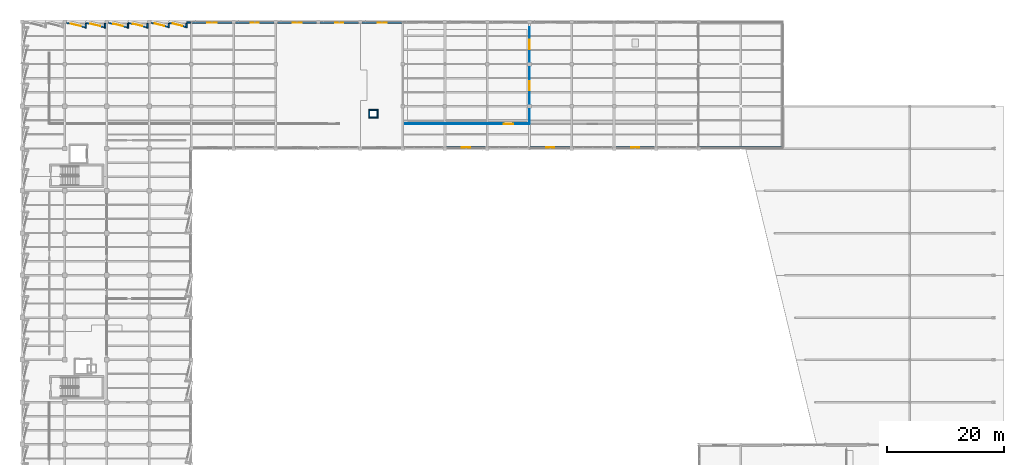
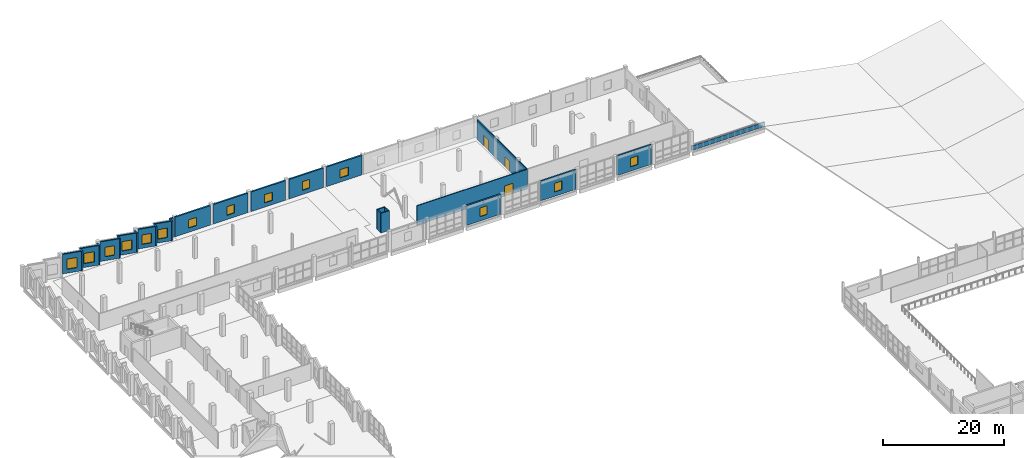
# One storey, part 73 of 94: 28 walls, 14 windows, 3 doors, 17 openings.
"""IFC4 building model written with IfcOpenShell, lengths in metres."""

from ifc_helpers import new_model, si_unit, direction, frame, frame_2d, origin, place, context, subcontext, project, spatial, rectangle, extrude, material, layer, layer_set, type_object, element, fill, save


model = new_model("IFC4")

# Units and contexts
model_context = context("Model", 3, precision=1e-05, world=origin(), true_north=direction((0.0, 1.0)))
body_context = subcontext(model_context, "Body", "Model", "MODEL_VIEW")
ifc_project = project(units=[si_unit("LENGTHUNIT", "METRE"), si_unit("AREAUNIT", "SQUARE_METRE"), si_unit("VOLUMEUNIT", "CUBIC_METRE"), si_unit("PLANEANGLEUNIT", "RADIAN"), si_unit("MASSUNIT", "GRAM", prefix="KILO")], contexts=[model_context])

# Site, building, storey
site_placement = place(None, origin())
site = spatial("IfcSite", under=ifc_project, at=site_placement, CompositionType="ELEMENT")
building_placement = place(site_placement, origin())
building = spatial("IfcBuilding", under=site, at=building_placement, Name="Kalmorath City Hall", CompositionType="ELEMENT")
storey_placement = place(building_placement, frame((0.0, 0.0, 14.699951171875)))
storey = spatial("IfcBuildingStorey", under=building, at=storey_placement, Name="L03", CompositionType="ELEMENT", Elevation=14.699951171875)

# Wall, opening, door
ifc_material_1 = material(Name="High-STC double-stud acoustic partition")
ifc_layer_1 = layer(ifc_material_1, 0.1650390625)
ifc_layer_set_1 = layer_set([ifc_layer_1], Name="High-STC double-stud acoustic partition")
wall_type_1 = type_object("IfcWallType", Name="Chamber and committee acoustic partition 165", PredefinedType="PARTITIONING", material=ifc_layer_set_1)
wall_1_placement = place(storey_placement, frame((65.239990234375, 97.800048828125, 0.0), z_axis=(0.0, 0.0, 1.0), x_axis=(1.0, 0.0, 0.0)))
wall_1 = element("IfcWall", 1, at=wall_1_placement, inside=storey, type_object=wall_type_1, Name="L03 interior partition PW3 #141", PredefinedType="PARTITIONING", context=body_context, shape_type="SweptSolid", body=[
    extrude(rectangle(XDim=21.1201171875, YDim=0.1650390625, at=frame_2d((10.56005859375, 0.0))), origin(), (0.0, 0.0, 1.0), 3.949951171875),
])
opening_1_placement = place(wall_1_placement, frame((16.764892578125, 0.0, 0.0)))
opening_1 = element("IfcOpeningElement", 2, at=opening_1_placement, cuts=wall_1, Name="Opening D-L03-231", PredefinedType="OPENING", context=body_context, shape_type="SweptSolid", body=[
    extrude(rectangle(XDim=1.60009765625, YDim=2.10009765625, at=frame_2d((0.800048828125, 1.050048828125))), frame((0.0, 0.092529296875, 0.0), z_axis=(0.0, -1.0, 0.0), x_axis=(1.0, 0.0, 0.0)), (0.0, 0.0, 1.0), 0.18505859375),
])
ifc_material_2 = material(Name="Acoustic hardwood fire door", Category="wood")
door_type = type_object("IfcDoorType", Name="Committee double fire door 1600x2100", OperationType="DOUBLE_DOOR_SINGLE_SWING", PredefinedType="DOOR", material=ifc_material_2)
door_1_placement = place(opening_1_placement, origin())
door_1 = element("IfcDoor", 3, at=door_1_placement, inside=storey, type_object=door_type, Name="L03 door D-L03-231", OperationType="DOUBLE_DOOR_SINGLE_SWING", OverallHeight=2.10009765625, OverallWidth=1.60009765625, PredefinedType="DOOR", context=body_context, shape_type="SweptSolid", body=[
    extrude(rectangle(XDim=1.60009765625, YDim=2.10009765625, at=frame_2d((0.800048828125, 1.050048828125))), frame((0.0, 0.02490234375, 0.0), z_axis=(0.0, -1.0, 0.0), x_axis=(1.0, 0.0, 0.0)), (0.0, 0.0, 1.0), 0.050048828125),
])
fill(opening_1, door_1)

# Wall, openings, doors
wall_2_placement = place(storey_placement, frame((86.39990234375, 97.840087890625, 0.0), z_axis=(0.0, 0.0, 1.0), x_axis=(0.0, 1.0, 0.0)))
wall_2 = element("IfcWall", 4, at=wall_2_placement, inside=storey, type_object=wall_type_1, Name="L03 interior partition PW3 #147", PredefinedType="PARTITIONING", context=body_context, shape_type="SweptSolid", body=[
    extrude(rectangle(XDim=16.419921875, YDim=0.1650390625, at=frame_2d((8.2099609375, 0.0))), origin(), (0.0, 0.0, 1.0), 3.949951171875),
])
opening_2_placement = place(wall_2_placement, frame((5.66259765625, 0.0, 0.0)))
opening_2 = element("IfcOpeningElement", 5, at=opening_2_placement, cuts=wall_2, Name="Opening D-L03-232", PredefinedType="OPENING", context=body_context, shape_type="SweptSolid", body=[
    extrude(rectangle(XDim=1.60009765625, YDim=2.10009765625, at=frame_2d((0.800048828125, 1.050048828125))), frame((0.0, 0.092529296875, 0.0), z_axis=(0.0, -1.0, 0.0), x_axis=(1.0, 0.0, 0.0)), (0.0, 0.0, 1.0), 0.18505859375),
])
opening_3_placement = place(wall_2_placement, frame((12.652587890625, 0.0, 0.0)))
opening_3 = element("IfcOpeningElement", 6, at=opening_3_placement, cuts=wall_2, Name="Opening D-L03-234", PredefinedType="OPENING", context=body_context, shape_type="SweptSolid", body=[
    extrude(rectangle(XDim=1.60009765625, YDim=2.10009765625, at=frame_2d((0.800048828125, 1.050048828125))), frame((0.0, 0.092529296875, 0.0), z_axis=(0.0, -1.0, 0.0), x_axis=(1.0, 0.0, 0.0)), (0.0, 0.0, 1.0), 0.18505859375),
])
door_2_placement = place(opening_2_placement, origin())
door_2 = element("IfcDoor", 7, at=door_2_placement, inside=storey, type_object=door_type, Name="L03 door D-L03-232", OperationType="DOUBLE_DOOR_SINGLE_SWING", OverallHeight=2.10009765625, OverallWidth=1.60009765625, PredefinedType="DOOR", context=body_context, shape_type="SweptSolid", body=[
    extrude(rectangle(XDim=1.60009765625, YDim=2.10009765625, at=frame_2d((0.800048828125, 1.050048828125))), frame((0.0, 0.02490234375, 0.0), z_axis=(0.0, -1.0, 0.0), x_axis=(1.0, 0.0, 0.0)), (0.0, 0.0, 1.0), 0.050048828125),
])
fill(opening_2, door_2)
door_3_placement = place(opening_3_placement, origin())
door_3 = element("IfcDoor", 8, at=door_3_placement, inside=storey, type_object=door_type, Name="L03 door D-L03-234", OperationType="DOUBLE_DOOR_SINGLE_SWING", OverallHeight=2.10009765625, OverallWidth=1.60009765625, PredefinedType="DOOR", context=body_context, shape_type="SweptSolid", body=[
    extrude(rectangle(XDim=1.60009765625, YDim=2.10009765625, at=frame_2d((0.800048828125, 1.050048828125))), frame((0.0, 0.02490234375, 0.0), z_axis=(0.0, -1.0, 0.0), x_axis=(1.0, 0.0, 0.0)), (0.0, 0.0, 1.0), 0.050048828125),
])
fill(opening_3, door_3)

# Walls
ifc_material_3 = material(Name="Concrete C40/50", Category="concrete")
ifc_layer_2 = layer(ifc_material_3, 0.199951171875)
ifc_layer_set_2 = layer_set([ifc_layer_2], Name="Concrete C40/50")
wall_type_2 = type_object("IfcWallType", Name="Concrete service riser wall 200", PredefinedType="SOLIDWALL", material=ifc_layer_set_2)
for number, where, z_axis, x_axis, name in (
    (9, (59.0, 98.89990234375, 0.0), (0.0, 0.0, 1.0), (1.0, 0.0, 0.0), "L03 RSR-4 riser shaft wall S"),
    (10, (60.60009765625, 100.179931640625, 0.0), (0.0, 0.0, 1.0), (-1.0, 0.0, 0.0), "L03 RSR-4 riser shaft wall N"),
):
    element("IfcWall", number, at=place(storey_placement, frame(where, z_axis=z_axis, x_axis=x_axis)), inside=storey, type_object=wall_type_2, Name=name, PredefinedType="SOLIDWALL", context=body_context, shape_type="SweptSolid", body=[
        extrude(rectangle(XDim=1.60009765625, YDim=0.199951171875, at=frame_2d((0.800048828125, 0.0))), origin(), (0.0, 0.0, 1.0), 3.949951171875),
    ])
for number, where, z_axis, x_axis, name in (
    (11, (59.10009765625, 100.080078125, 0.0), (0.0, 0.0, 1.0), (0.0, -1.0, 0.0), "L03 RSR-4 riser shaft wall W"),
    (12, (60.5, 99.0, 0.0), (0.0, 0.0, 1.0), (0.0, 1.0, 0.0), "L03 RSR-4 riser shaft wall E"),
):
    element("IfcWall", number, at=place(storey_placement, frame(where, z_axis=z_axis, x_axis=x_axis)), inside=storey, type_object=wall_type_2, Name=name, PredefinedType="SOLIDWALL", context=body_context, shape_type="SweptSolid", body=[
        extrude(rectangle(XDim=1.080078125, YDim=0.199951171875, at=frame_2d((0.5400390625, 0.0))), origin(), (0.0, 0.0, 1.0), 3.949951171875),
    ])
ifc_material_4 = material(Name="Precast concrete C40/50", Category="concrete")
ifc_layer_3 = layer(ifc_material_4, 0.219970703125)
ifc_layer_set_3 = layer_set([ifc_layer_3], Name="Precast concrete C40/50")
wall_type_3 = type_object("IfcWallType", Name="Precast concrete roof parapet 220", PredefinedType="PARAPET", material=ifc_layer_set_3)
wall_3_placement = place(storey_placement, frame((115.39990234375, 93.800048828125, 0.0), z_axis=(0.0, 0.0, 1.0), x_axis=(1.0, 0.0, 0.0)))
element("IfcWall", 13, at=wall_3_placement, inside=storey, type_object=wall_type_3, Name="L03 parapet PR1-1", PredefinedType="PARAPET", context=body_context, shape_type="SweptSolid", body=[
    extrude(rectangle(XDim=14.0, YDim=0.219970703125, at=frame_2d((7.0, 0.0))), origin(), (0.0, 0.0, 1.0), 0.900146484375),
])
ifc_material_5 = material(Name="Precast concrete C40/50", Category="concrete")
ifc_layer_4 = layer(ifc_material_5, 0.239990234375)
ifc_layer_set_4 = layer_set([ifc_layer_4], Name="Precast concrete C40/50")
wall_type_4 = type_object("IfcWallType", Name="Precast sawtooth cheek wall 240", PredefinedType="SOLIDWALL", material=ifc_layer_set_4)
for number, where, z_axis, x_axis, name in (
    (14, (10.800048828125, 114.10302734375, 0.0), (0.0, 0.0, 1.0), (0.0, 1.0, 0.0), "L03 sawtooth return cheek #601"),
    (15, (14.09912109375, 114.10302734375, 0.0), (0.0, 0.0, 1.0), (0.0, 1.0, 0.0), "L03 sawtooth return cheek #603"),
    (16, (18.0, 114.10302734375, 0.0), (0.0, 0.0, 1.0), (0.0, 1.0, 0.0), "L03 sawtooth return cheek #605"),
    (17, (21.299072265625, 114.10302734375, 0.0), (0.0, 0.0, 1.0), (0.0, 1.0, 0.0), "L03 sawtooth return cheek #607"),
):
    element("IfcWall", number, at=place(storey_placement, frame(where, z_axis=z_axis, x_axis=x_axis)), inside=storey, type_object=wall_type_4, Name=name, PredefinedType="SOLIDWALL", context=body_context, shape_type="SweptSolid", body=[
        extrude(rectangle(XDim=0.804931640625, YDim=0.239990234375, at=frame_2d((0.40234375, 0.0))), origin(), (0.0, 0.0, 1.0), 3.949951171875),
    ])
wall_4_placement = place(storey_placement, frame((24.946533203125, 114.163818359375, 0.0), z_axis=(0.0, 0.0, 1.0), x_axis=(0.0, 1.0, 0.0)))
element("IfcWall", 18, at=wall_4_placement, inside=storey, type_object=wall_type_4, Name="L03 sawtooth return cheek #610", PredefinedType="SOLIDWALL", context=body_context, shape_type="SweptSolid", body=[
    extrude(rectangle(XDim=0.744140625, YDim=0.239990234375, at=frame_2d((0.3720703125, 0.0))), origin(), (0.0, 0.0, 1.0), 3.949951171875),
])
wall_5_placement = place(storey_placement, frame((27.991943359375, 114.163818359375, 0.0), z_axis=(0.0, 0.0, 1.0), x_axis=(0.0, 1.0, 0.0)))
element("IfcWall", 19, at=wall_5_placement, inside=storey, type_object=wall_type_4, Name="L03 sawtooth return cheek #612", PredefinedType="SOLIDWALL", context=body_context, shape_type="SweptSolid", body=[
    extrude(rectangle(XDim=0.754150390625, YDim=0.239990234375, at=frame_2d((0.376953125, 0.0))), origin(), (0.0, 0.0, 1.0), 3.949951171875),
])

# Wall, opening, window
ifc_material_6 = material(Name="Precast concrete C40/50", Category="concrete")
ifc_layer_5 = layer(ifc_material_6, 0.280029296875)
ifc_layer_set_5 = layer_set([ifc_layer_5], Name="Precast concrete C40/50")
wall_type_5 = type_object("IfcWallType", Name="Precast sawtooth facade wall 280", PredefinedType="SOLIDWALL", material=ifc_layer_set_5)
wall_6_placement = place(storey_placement, frame((7.5009765625, 115.0400390625, 0.0), z_axis=(0.0, 0.0, 1.0), x_axis=(0.972373187667, -0.23343175428, 0.0)))
wall_6 = element("IfcWall", 20, at=wall_6_placement, inside=storey, type_object=wall_type_5, Name="L03 sawtooth precast frame #600", PredefinedType="SOLIDWALL", context=body_context, shape_type="SweptSolid", body=[
    extrude(rectangle(XDim=3.297607421875, YDim=0.280029296875, at=frame_2d((1.64892578125, 0.0))), origin(), (0.0, 0.0, 1.0), 3.949951171875),
])
opening_4_placement = place(wall_6_placement, frame((0.77392578125, 0.0, 0.800048828125)))
opening_4 = element("IfcOpeningElement", 21, at=opening_4_placement, cuts=wall_6, Name="Opening WN1", PredefinedType="OPENING", context=body_context, shape_type="SweptSolid", body=[
    extrude(rectangle(XDim=1.75, YDim=2.050048828125, at=frame_2d((0.875, 1.02490234375))), frame((0.0, 0.14990234375, 0.0), z_axis=(0.0, -1.0, 0.0), x_axis=(1.0, 0.0, 0.0)), (0.0, 0.0, 1.0), 0.300048828125),
])
ifc_material_7 = material(Name="Aluminium and laminated glass", Category="aluminium")
window_type_1 = type_object("IfcWindowType", Name="Sawtooth hurricane window 1750x2050", PartitioningType="SINGLE_PANEL", PredefinedType="WINDOW", material=ifc_material_7)
window_1_placement = place(opening_4_placement, origin())
window_1 = element("IfcWindow", 22, at=window_1_placement, inside=storey, type_object=window_type_1, Name="L03 window WN1-309", OverallHeight=2.050048828125, OverallWidth=1.75, PartitioningType="SINGLE_PANEL", PredefinedType="WINDOW", context=body_context, shape_type="SweptSolid", body=[
    extrude(rectangle(XDim=1.75, YDim=2.050048828125, at=frame_2d((0.875, 1.02490234375))), frame((0.0, 0.030029296875, 0.0), z_axis=(0.0, -1.0, 0.0), x_axis=(1.0, 0.0, 0.0)), (0.0, 0.0, 1.0), 0.06005859375),
])
fill(opening_4, window_1)

wall_7_placement = place(storey_placement, frame((10.800048828125, 115.0400390625, 0.0), z_axis=(0.0, 0.0, 1.0), x_axis=(0.972373187667, -0.23343175428, 0.0)))
wall_7 = element("IfcWall", 23, at=wall_7_placement, inside=storey, type_object=wall_type_5, Name="L03 sawtooth precast frame #602", PredefinedType="SOLIDWALL", context=body_context, shape_type="SweptSolid", body=[
    extrude(rectangle(XDim=3.297607421875, YDim=0.280029296875, at=frame_2d((1.64892578125, 0.0))), origin(), (0.0, 0.0, 1.0), 3.949951171875),
])
opening_5_placement = place(wall_7_placement, frame((0.77392578125, 0.0, 0.800048828125)))
opening_5 = element("IfcOpeningElement", 24, at=opening_5_placement, cuts=wall_7, Name="Opening WN1", PredefinedType="OPENING", context=body_context, shape_type="SweptSolid", body=[
    extrude(rectangle(XDim=1.75, YDim=2.050048828125, at=frame_2d((0.875, 1.02490234375))), frame((0.0, 0.14990234375, 0.0), z_axis=(0.0, -1.0, 0.0), x_axis=(1.0, 0.0, 0.0)), (0.0, 0.0, 1.0), 0.300048828125),
])
window_2_placement = place(opening_5_placement, origin())
window_2 = element("IfcWindow", 25, at=window_2_placement, inside=storey, type_object=window_type_1, Name="L03 window WN1-310", OverallHeight=2.050048828125, OverallWidth=1.75, PartitioningType="SINGLE_PANEL", PredefinedType="WINDOW", context=body_context, shape_type="SweptSolid", body=[
    extrude(rectangle(XDim=1.75, YDim=2.050048828125, at=frame_2d((0.875, 1.02490234375))), frame((0.0, 0.030029296875, 0.0), z_axis=(0.0, -1.0, 0.0), x_axis=(1.0, 0.0, 0.0)), (0.0, 0.0, 1.0), 0.06005859375),
])
fill(opening_5, window_2)

wall_8_placement = place(storey_placement, frame((14.700927734375, 115.0400390625, 0.0), z_axis=(0.0, 0.0, 1.0), x_axis=(0.972377221417, -0.233414950828, 0.0)))
wall_8 = element("IfcWall", 26, at=wall_8_placement, inside=storey, type_object=wall_type_5, Name="L03 sawtooth precast frame #604", PredefinedType="SOLIDWALL", context=body_context, shape_type="SweptSolid", body=[
    extrude(rectangle(XDim=3.2978515625, YDim=0.280029296875, at=frame_2d((1.64892578125, 0.0))), origin(), (0.0, 0.0, 1.0), 3.949951171875),
])
opening_6_placement = place(wall_8_placement, frame((0.823974609375, 0.0, 0.800048828125)))
opening_6 = element("IfcOpeningElement", 27, at=opening_6_placement, cuts=wall_8, Name="Opening WN2", PredefinedType="OPENING", context=body_context, shape_type="SweptSolid", body=[
    extrude(rectangle(XDim=1.64990234375, YDim=1.89990234375, at=frame_2d((0.824951171875, 0.949951171875))), frame((0.0, 0.14990234375, 0.0), z_axis=(0.0, -1.0, 0.0), x_axis=(1.0, 0.0, 0.0)), (0.0, 0.0, 1.0), 0.300048828125),
])
ifc_material_8 = material(Name="Aluminium and laminated glass", Category="aluminium")
window_type_2 = type_object("IfcWindowType", Name="Sawtooth hurricane window 1650x1900", PartitioningType="SINGLE_PANEL", PredefinedType="WINDOW", material=ifc_material_8)
window_3_placement = place(opening_6_placement, origin())
window_3 = element("IfcWindow", 28, at=window_3_placement, inside=storey, type_object=window_type_2, Name="L03 window WN2-311", OverallHeight=1.89990234375, OverallWidth=1.64990234375, PartitioningType="SINGLE_PANEL", PredefinedType="WINDOW", context=body_context, shape_type="SweptSolid", body=[
    extrude(rectangle(XDim=1.64990234375, YDim=1.89990234375, at=frame_2d((0.824951171875, 0.949951171875))), frame((0.0, 0.030029296875, 0.0), z_axis=(0.0, -1.0, 0.0), x_axis=(1.0, 0.0, 0.0)), (0.0, 0.0, 1.0), 0.06005859375),
])
fill(opening_6, window_3)

wall_9_placement = place(storey_placement, frame((18.0, 115.0400390625, 0.0), z_axis=(0.0, 0.0, 1.0), x_axis=(0.972373187667, -0.23343175428, 0.0)))
wall_9 = element("IfcWall", 29, at=wall_9_placement, inside=storey, type_object=wall_type_5, Name="L03 sawtooth precast frame #606", PredefinedType="SOLIDWALL", context=body_context, shape_type="SweptSolid", body=[
    extrude(rectangle(XDim=3.297607421875, YDim=0.280029296875, at=frame_2d((1.64892578125, 0.0))), origin(), (0.0, 0.0, 1.0), 3.949951171875),
])
opening_7_placement = place(wall_9_placement, frame((0.823974609375, 0.0, 0.800048828125)))
opening_7 = element("IfcOpeningElement", 30, at=opening_7_placement, cuts=wall_9, Name="Opening WN2", PredefinedType="OPENING", context=body_context, shape_type="SweptSolid", body=[
    extrude(rectangle(XDim=1.64990234375, YDim=1.89990234375, at=frame_2d((0.824951171875, 0.949951171875))), frame((0.0, 0.14990234375, 0.0), z_axis=(0.0, -1.0, 0.0), x_axis=(1.0, 0.0, 0.0)), (0.0, 0.0, 1.0), 0.300048828125),
])
window_4_placement = place(opening_7_placement, origin())
window_4 = element("IfcWindow", 31, at=window_4_placement, inside=storey, type_object=window_type_2, Name="L03 window WN2-312", OverallHeight=1.89990234375, OverallWidth=1.64990234375, PartitioningType="SINGLE_PANEL", PredefinedType="WINDOW", context=body_context, shape_type="SweptSolid", body=[
    extrude(rectangle(XDim=1.64990234375, YDim=1.89990234375, at=frame_2d((0.824951171875, 0.949951171875))), frame((0.0, 0.030029296875, 0.0), z_axis=(0.0, -1.0, 0.0), x_axis=(1.0, 0.0, 0.0)), (0.0, 0.0, 1.0), 0.06005859375),
])
fill(opening_7, window_4)

wall_10_placement = place(storey_placement, frame((21.90087890625, 115.0400390625, 0.0), z_axis=(0.0, 0.0, 1.0), x_axis=(0.972369786639, -0.233445920999, 0.0)))
wall_10 = element("IfcWall", 32, at=wall_10_placement, inside=storey, type_object=wall_type_5, Name="L03 sawtooth precast frame #609", PredefinedType="SOLIDWALL", context=body_context, shape_type="SweptSolid", body=[
    extrude(rectangle(XDim=3.037109375, YDim=0.280029296875, at=frame_2d((1.5185546875, 0.0))), origin(), (0.0, 0.0, 1.0), 3.949951171875),
])
opening_8_placement = place(wall_10_placement, frame((0.693603515625, 0.0, 0.800048828125)))
opening_8 = element("IfcOpeningElement", 33, at=opening_8_placement, cuts=wall_10, Name="Opening WN2", PredefinedType="OPENING", context=body_context, shape_type="SweptSolid", body=[
    extrude(rectangle(XDim=1.64990234375, YDim=1.89990234375, at=frame_2d((0.824951171875, 0.949951171875))), frame((0.0, 0.14990234375, 0.0), z_axis=(0.0, -1.0, 0.0), x_axis=(1.0, 0.0, 0.0)), (0.0, 0.0, 1.0), 0.300048828125),
])
window_5_placement = place(opening_8_placement, origin())
window_5 = element("IfcWindow", 34, at=window_5_placement, inside=storey, type_object=window_type_2, Name="L03 window WN2-313", OverallHeight=1.89990234375, OverallWidth=1.64990234375, PartitioningType="SINGLE_PANEL", PredefinedType="WINDOW", context=body_context, shape_type="SweptSolid", body=[
    extrude(rectangle(XDim=1.64990234375, YDim=1.89990234375, at=frame_2d((0.824951171875, 0.949951171875))), frame((0.0, 0.030029296875, 0.0), z_axis=(0.0, -1.0, 0.0), x_axis=(1.0, 0.0, 0.0)), (0.0, 0.0, 1.0), 0.06005859375),
])
fill(opening_8, window_5)

wall_11_placement = place(storey_placement, frame((24.946533203125, 115.0400390625, 0.0), z_axis=(0.0, 0.0, 1.0), x_axis=(0.972369786639, -0.233445920999, 0.0)))
wall_11 = element("IfcWall", 35, at=wall_11_placement, inside=storey, type_object=wall_type_5, Name="L03 sawtooth precast frame #611", PredefinedType="SOLIDWALL", context=body_context, shape_type="SweptSolid", body=[
    extrude(rectangle(XDim=3.037109375, YDim=0.280029296875, at=frame_2d((1.5185546875, 0.0))), origin(), (0.0, 0.0, 1.0), 3.949951171875),
])
opening_9_placement = place(wall_11_placement, frame((0.693603515625, 0.0, 0.800048828125)))
opening_9 = element("IfcOpeningElement", 36, at=opening_9_placement, cuts=wall_11, Name="Opening WN2", PredefinedType="OPENING", context=body_context, shape_type="SweptSolid", body=[
    extrude(rectangle(XDim=1.64990234375, YDim=1.89990234375, at=frame_2d((0.824951171875, 0.949951171875))), frame((0.0, 0.14990234375, 0.0), z_axis=(0.0, -1.0, 0.0), x_axis=(1.0, 0.0, 0.0)), (0.0, 0.0, 1.0), 0.300048828125),
])
window_6_placement = place(opening_9_placement, origin())
window_6 = element("IfcWindow", 37, at=window_6_placement, inside=storey, type_object=window_type_2, Name="L03 window WN2-314", OverallHeight=1.89990234375, OverallWidth=1.64990234375, PartitioningType="SINGLE_PANEL", PredefinedType="WINDOW", context=body_context, shape_type="SweptSolid", body=[
    extrude(rectangle(XDim=1.64990234375, YDim=1.89990234375, at=frame_2d((0.824951171875, 0.949951171875))), frame((0.0, 0.030029296875, 0.0), z_axis=(0.0, -1.0, 0.0), x_axis=(1.0, 0.0, 0.0)), (0.0, 0.0, 1.0), 0.06005859375),
])
fill(opening_9, window_6)

# Wall
ifc_material_9 = material(Name="Precast concrete C40/50", Category="concrete")
ifc_layer_6 = layer(ifc_material_9, 0.260009765625)
ifc_layer_set_6 = layer_set([ifc_layer_6], Name="Precast concrete C40/50")
wall_type_6 = type_object("IfcWallType", Name="Precast sawtooth return wall 260", PredefinedType="SOLIDWALL", material=ifc_layer_set_6)
wall_12_placement = place(storey_placement, frame((27.991943359375, 115.0400390625, 0.0), z_axis=(0.0, 0.0, 1.0), x_axis=(1.0, 0.0, 0.0)))
element("IfcWall", 38, at=wall_12_placement, inside=storey, type_object=wall_type_6, Name="L03 corner pier wall #608", PredefinedType="SOLIDWALL", context=body_context, shape_type="SweptSolid", body=[
    extrude(rectangle(XDim=0.68017578125, YDim=0.260009765625, at=frame_2d((0.340087890625, 0.0))), origin(), (0.0, 0.0, 1.0), 3.949951171875),
])

# Wall, opening, window
ifc_material_10 = material(Name="Concrete C40/50", Category="concrete")
ifc_layer_7 = layer(ifc_material_10, 0.300048828125)
ifc_layer_set_7 = layer_set([ifc_layer_7], Name="Concrete C40/50")
wall_type_7 = type_object("IfcWallType", Name="Volcanic basalt backup wall 300", PredefinedType="SOLIDWALL", material=ifc_layer_set_7)
wall_13_placement = place(storey_placement, frame((28.927978515625, 115.0400390625, 0.0), z_axis=(0.0, 0.0, 1.0), x_axis=(1.0, 0.0, 0.0)))
wall_13 = element("IfcWall", 39, at=wall_13_placement, inside=storey, type_object=wall_type_7, Name="L03 basalt wing wall #613", PredefinedType="SOLIDWALL", context=body_context, shape_type="SweptSolid", body=[
    extrude(rectangle(XDim=6.77099609375, YDim=0.300048828125, at=frame_2d((3.385498046875, 0.0))), origin(), (0.0, 0.0, 1.0), 3.949951171875),
])
opening_10_placement = place(wall_13_placement, frame((2.610595703125, 0.0, 0.85009765625)))
opening_10 = element("IfcOpeningElement", 40, at=opening_10_placement, cuts=wall_13, Name="Opening WN10", PredefinedType="OPENING", context=body_context, shape_type="SweptSolid", body=[
    extrude(rectangle(XDim=1.550048828125, YDim=1.64990234375, at=frame_2d((0.77490234375, 0.824951171875))), frame((0.0, 0.159912109375, 0.0), z_axis=(0.0, -1.0, 0.0), x_axis=(1.0, 0.0, 0.0)), (0.0, 0.0, 1.0), 0.320068359375),
])
ifc_material_11 = material(Name="Bronze-anodised aluminium and glass", Category="aluminium")
window_type_3 = type_object("IfcWindowType", Name="Basalt upper window 1550x1650", PartitioningType="SINGLE_PANEL", PredefinedType="WINDOW", material=ifc_material_11)
window_7_placement = place(opening_10_placement, origin())
window_7 = element("IfcWindow", 41, at=window_7_placement, inside=storey, type_object=window_type_3, Name="L03 window WN10-315", OverallHeight=1.64990234375, OverallWidth=1.550048828125, PartitioningType="SINGLE_PANEL", PredefinedType="WINDOW", context=body_context, shape_type="SweptSolid", body=[
    extrude(rectangle(XDim=1.550048828125, YDim=1.64990234375, at=frame_2d((0.77490234375, 0.824951171875))), frame((0.0, 0.030029296875, 0.0), z_axis=(0.0, -1.0, 0.0), x_axis=(1.0, 0.0, 0.0)), (0.0, 0.0, 1.0), 0.06005859375),
])
fill(opening_10, window_7)

wall_14_placement = place(storey_placement, frame((36.301025390625, 115.0400390625, 0.0), z_axis=(0.0, 0.0, 1.0), x_axis=(1.0, 0.0, 0.0)))
wall_14 = element("IfcWall", 42, at=wall_14_placement, inside=storey, type_object=wall_type_7, Name="L03 basalt wing wall #614", PredefinedType="SOLIDWALL", context=body_context, shape_type="SweptSolid", body=[
    extrude(rectangle(XDim=6.597900390625, YDim=0.300048828125, at=frame_2d((3.298828125, 0.0))), origin(), (0.0, 0.0, 1.0), 3.949951171875),
])
opening_11_placement = place(wall_14_placement, frame((2.59912109375, 0.0, 0.85009765625)))
opening_11 = element("IfcOpeningElement", 43, at=opening_11_placement, cuts=wall_14, Name="Opening WN11", PredefinedType="OPENING", context=body_context, shape_type="SweptSolid", body=[
    extrude(rectangle(XDim=1.39990234375, YDim=1.75, at=frame_2d((0.699951171875, 0.875))), frame((0.0, 0.159912109375, 0.0), z_axis=(0.0, -1.0, 0.0), x_axis=(1.0, 0.0, 0.0)), (0.0, 0.0, 1.0), 0.320068359375),
])
ifc_material_12 = material(Name="Bronze-anodised aluminium and glass", Category="aluminium")
window_type_4 = type_object("IfcWindowType", Name="Basalt north study window 1400x1750", PartitioningType="SINGLE_PANEL", PredefinedType="WINDOW", material=ifc_material_12)
window_8_placement = place(opening_11_placement, origin())
window_8 = element("IfcWindow", 44, at=window_8_placement, inside=storey, type_object=window_type_4, Name="L03 window WN11-316", OverallHeight=1.75, OverallWidth=1.39990234375, PartitioningType="SINGLE_PANEL", PredefinedType="WINDOW", context=body_context, shape_type="SweptSolid", body=[
    extrude(rectangle(XDim=1.39990234375, YDim=1.75, at=frame_2d((0.699951171875, 0.875))), frame((0.0, 0.030029296875, 0.0), z_axis=(0.0, -1.0, 0.0), x_axis=(1.0, 0.0, 0.0)), (0.0, 0.0, 1.0), 0.06005859375),
])
fill(opening_11, window_8)

wall_15_placement = place(storey_placement, frame((43.5009765625, 115.0400390625, 0.0), z_axis=(0.0, 0.0, 1.0), x_axis=(1.0, 0.0, 0.0)))
wall_15 = element("IfcWall", 45, at=wall_15_placement, inside=storey, type_object=wall_type_7, Name="L03 basalt wing wall #615", PredefinedType="SOLIDWALL", context=body_context, shape_type="SweptSolid", body=[
    extrude(rectangle(XDim=6.59814453125, YDim=0.300048828125, at=frame_2d((3.299072265625, 0.0))), origin(), (0.0, 0.0, 1.0), 3.949951171875),
])
opening_12_placement = place(wall_15_placement, frame((2.52392578125, 0.0, 0.85009765625)))
opening_12 = element("IfcOpeningElement", 46, at=opening_12_placement, cuts=wall_15, Name="Opening WN10", PredefinedType="OPENING", context=body_context, shape_type="SweptSolid", body=[
    extrude(rectangle(XDim=1.550048828125, YDim=1.64990234375, at=frame_2d((0.77490234375, 0.824951171875))), frame((0.0, 0.159912109375, 0.0), z_axis=(0.0, -1.0, 0.0), x_axis=(1.0, 0.0, 0.0)), (0.0, 0.0, 1.0), 0.320068359375),
])
window_9_placement = place(opening_12_placement, origin())
window_9 = element("IfcWindow", 47, at=window_9_placement, inside=storey, type_object=window_type_3, Name="L03 window WN10-317", OverallHeight=1.64990234375, OverallWidth=1.550048828125, PartitioningType="SINGLE_PANEL", PredefinedType="WINDOW", context=body_context, shape_type="SweptSolid", body=[
    extrude(rectangle(XDim=1.550048828125, YDim=1.64990234375, at=frame_2d((0.77490234375, 0.824951171875))), frame((0.0, 0.030029296875, 0.0), z_axis=(0.0, -1.0, 0.0), x_axis=(1.0, 0.0, 0.0)), (0.0, 0.0, 1.0), 0.06005859375),
])
fill(opening_12, window_9)

wall_16_placement = place(storey_placement, frame((50.700927734375, 115.0400390625, 0.0), z_axis=(0.0, 0.0, 1.0), x_axis=(1.0, 0.0, 0.0)))
wall_16 = element("IfcWall", 48, at=wall_16_placement, inside=storey, type_object=wall_type_7, Name="L03 basalt wing wall #616", PredefinedType="SOLIDWALL", context=body_context, shape_type="SweptSolid", body=[
    extrude(rectangle(XDim=6.59814453125, YDim=0.300048828125, at=frame_2d((3.299072265625, 0.0))), origin(), (0.0, 0.0, 1.0), 3.949951171875),
])
opening_13_placement = place(wall_16_placement, frame((2.59912109375, 0.0, 0.85009765625)))
opening_13 = element("IfcOpeningElement", 49, at=opening_13_placement, cuts=wall_16, Name="Opening WN11", PredefinedType="OPENING", context=body_context, shape_type="SweptSolid", body=[
    extrude(rectangle(XDim=1.39990234375, YDim=1.75, at=frame_2d((0.699951171875, 0.875))), frame((0.0, 0.159912109375, 0.0), z_axis=(0.0, -1.0, 0.0), x_axis=(1.0, 0.0, 0.0)), (0.0, 0.0, 1.0), 0.320068359375),
])
window_10_placement = place(opening_13_placement, origin())
window_10 = element("IfcWindow", 50, at=window_10_placement, inside=storey, type_object=window_type_4, Name="L03 window WN11-318", OverallHeight=1.75, OverallWidth=1.39990234375, PartitioningType="SINGLE_PANEL", PredefinedType="WINDOW", context=body_context, shape_type="SweptSolid", body=[
    extrude(rectangle(XDim=1.39990234375, YDim=1.75, at=frame_2d((0.699951171875, 0.875))), frame((0.0, 0.030029296875, 0.0), z_axis=(0.0, -1.0, 0.0), x_axis=(1.0, 0.0, 0.0)), (0.0, 0.0, 1.0), 0.06005859375),
])
fill(opening_13, window_10)

wall_17_placement = place(storey_placement, frame((57.90087890625, 115.0400390625, 0.0), z_axis=(0.0, 0.0, 1.0), x_axis=(1.0, 0.0, 0.0)))
wall_17 = element("IfcWall", 51, at=wall_17_placement, inside=storey, type_object=wall_type_7, Name="L03 basalt wing wall #617", PredefinedType="SOLIDWALL", context=body_context, shape_type="SweptSolid", body=[
    extrude(rectangle(XDim=6.771240234375, YDim=0.300048828125, at=frame_2d((3.3857421875, 0.0))), origin(), (0.0, 0.0, 1.0), 3.949951171875),
])
opening_14_placement = place(wall_17_placement, frame((2.610595703125, 0.0, 0.85009765625)))
opening_14 = element("IfcOpeningElement", 52, at=opening_14_placement, cuts=wall_17, Name="Opening WN10", PredefinedType="OPENING", context=body_context, shape_type="SweptSolid", body=[
    extrude(rectangle(XDim=1.550048828125, YDim=1.64990234375, at=frame_2d((0.77490234375, 0.824951171875))), frame((0.0, 0.159912109375, 0.0), z_axis=(0.0, -1.0, 0.0), x_axis=(1.0, 0.0, 0.0)), (0.0, 0.0, 1.0), 0.320068359375),
])
window_11_placement = place(opening_14_placement, origin())
window_11 = element("IfcWindow", 53, at=window_11_placement, inside=storey, type_object=window_type_3, Name="L03 window WN10-319", OverallHeight=1.64990234375, OverallWidth=1.550048828125, PartitioningType="SINGLE_PANEL", PredefinedType="WINDOW", context=body_context, shape_type="SweptSolid", body=[
    extrude(rectangle(XDim=1.550048828125, YDim=1.64990234375, at=frame_2d((0.77490234375, 0.824951171875))), frame((0.0, 0.030029296875, 0.0), z_axis=(0.0, -1.0, 0.0), x_axis=(1.0, 0.0, 0.0)), (0.0, 0.0, 1.0), 0.06005859375),
])
fill(opening_14, window_11)

wall_18_placement = place(storey_placement, frame((107.698974609375, 93.760009765625, 0.0), z_axis=(0.0, 0.0, 1.0), x_axis=(-1.0, 0.0, 0.0)))
wall_18 = element("IfcWall", 54, at=wall_18_placement, inside=storey, type_object=wall_type_7, Name="L03 basalt wing wall #628", PredefinedType="SOLIDWALL", context=body_context, shape_type="SweptSolid", body=[
    extrude(rectangle(XDim=6.597900390625, YDim=0.300048828125, at=frame_2d((3.298828125, 0.0))), origin(), (0.0, 0.0, 1.0), 3.949951171875),
])
opening_15_placement = place(wall_18_placement, frame((2.59912109375, 0.0, 0.85009765625)))
opening_15 = element("IfcOpeningElement", 55, at=opening_15_placement, cuts=wall_18, Name="Opening WN11", PredefinedType="OPENING", context=body_context, shape_type="SweptSolid", body=[
    extrude(rectangle(XDim=1.39990234375, YDim=1.75, at=frame_2d((0.699951171875, 0.875))), frame((0.0, 0.159912109375, 0.0), z_axis=(0.0, -1.0, 0.0), x_axis=(1.0, 0.0, 0.0)), (0.0, 0.0, 1.0), 0.320068359375),
])
window_12_placement = place(opening_15_placement, origin())
window_12 = element("IfcWindow", 56, at=window_12_placement, inside=storey, type_object=window_type_4, Name="L03 window WN11-330", OverallHeight=1.75, OverallWidth=1.39990234375, PartitioningType="SINGLE_PANEL", PredefinedType="WINDOW", context=body_context, shape_type="SweptSolid", body=[
    extrude(rectangle(XDim=1.39990234375, YDim=1.75, at=frame_2d((0.699951171875, 0.875))), frame((0.0, 0.030029296875, 0.0), z_axis=(0.0, -1.0, 0.0), x_axis=(1.0, 0.0, 0.0)), (0.0, 0.0, 1.0), 0.06005859375),
])
fill(opening_15, window_12)

wall_19_placement = place(storey_placement, frame((93.299072265625, 93.760009765625, 0.0), z_axis=(0.0, 0.0, 1.0), x_axis=(-1.0, 0.0, 0.0)))
wall_19 = element("IfcWall", 57, at=wall_19_placement, inside=storey, type_object=wall_type_7, Name="L03 basalt wing wall #629", PredefinedType="SOLIDWALL", context=body_context, shape_type="SweptSolid", body=[
    extrude(rectangle(XDim=6.77099609375, YDim=0.300048828125, at=frame_2d((3.385498046875, 0.0))), origin(), (0.0, 0.0, 1.0), 3.949951171875),
])
opening_16_placement = place(wall_19_placement, frame((2.685546875, 0.0, 0.85009765625)))
opening_16 = element("IfcOpeningElement", 58, at=opening_16_placement, cuts=wall_19, Name="Opening WN11", PredefinedType="OPENING", context=body_context, shape_type="SweptSolid", body=[
    extrude(rectangle(XDim=1.39990234375, YDim=1.75, at=frame_2d((0.699951171875, 0.875))), frame((0.0, 0.159912109375, 0.0), z_axis=(0.0, -1.0, 0.0), x_axis=(1.0, 0.0, 0.0)), (0.0, 0.0, 1.0), 0.320068359375),
])
window_13_placement = place(opening_16_placement, origin())
window_13 = element("IfcWindow", 59, at=window_13_placement, inside=storey, type_object=window_type_4, Name="L03 window WN11-331", OverallHeight=1.75, OverallWidth=1.39990234375, PartitioningType="SINGLE_PANEL", PredefinedType="WINDOW", context=body_context, shape_type="SweptSolid", body=[
    extrude(rectangle(XDim=1.39990234375, YDim=1.75, at=frame_2d((0.699951171875, 0.875))), frame((0.0, 0.030029296875, 0.0), z_axis=(0.0, -1.0, 0.0), x_axis=(1.0, 0.0, 0.0)), (0.0, 0.0, 1.0), 0.06005859375),
])
fill(opening_16, window_13)

wall_20_placement = place(storey_placement, frame((78.89892578125, 93.760009765625, 0.0), z_axis=(0.0, 0.0, 1.0), x_axis=(-1.0, 0.0, 0.0)))
wall_20 = element("IfcWall", 60, at=wall_20_placement, inside=storey, type_object=wall_type_7, Name="L03 basalt wing wall #630", PredefinedType="SOLIDWALL", context=body_context, shape_type="SweptSolid", body=[
    extrude(rectangle(XDim=6.597900390625, YDim=0.300048828125, at=frame_2d((3.298828125, 0.0))), origin(), (0.0, 0.0, 1.0), 3.949951171875),
])
opening_17_placement = place(wall_20_placement, frame((2.59912109375, 0.0, 0.85009765625)))
opening_17 = element("IfcOpeningElement", 61, at=opening_17_placement, cuts=wall_20, Name="Opening WN11", PredefinedType="OPENING", context=body_context, shape_type="SweptSolid", body=[
    extrude(rectangle(XDim=1.39990234375, YDim=1.75, at=frame_2d((0.699951171875, 0.875))), frame((0.0, 0.159912109375, 0.0), z_axis=(0.0, -1.0, 0.0), x_axis=(1.0, 0.0, 0.0)), (0.0, 0.0, 1.0), 0.320068359375),
])
window_14_placement = place(opening_17_placement, origin())
window_14 = element("IfcWindow", 62, at=window_14_placement, inside=storey, type_object=window_type_4, Name="L03 window WN11-332", OverallHeight=1.75, OverallWidth=1.39990234375, PartitioningType="SINGLE_PANEL", PredefinedType="WINDOW", context=body_context, shape_type="SweptSolid", body=[
    extrude(rectangle(XDim=1.39990234375, YDim=1.75, at=frame_2d((0.699951171875, 0.875))), frame((0.0, 0.030029296875, 0.0), z_axis=(0.0, -1.0, 0.0), x_axis=(1.0, 0.0, 0.0)), (0.0, 0.0, 1.0), 0.06005859375),
])
fill(opening_17, window_14)

save(model, "model.ifc")
